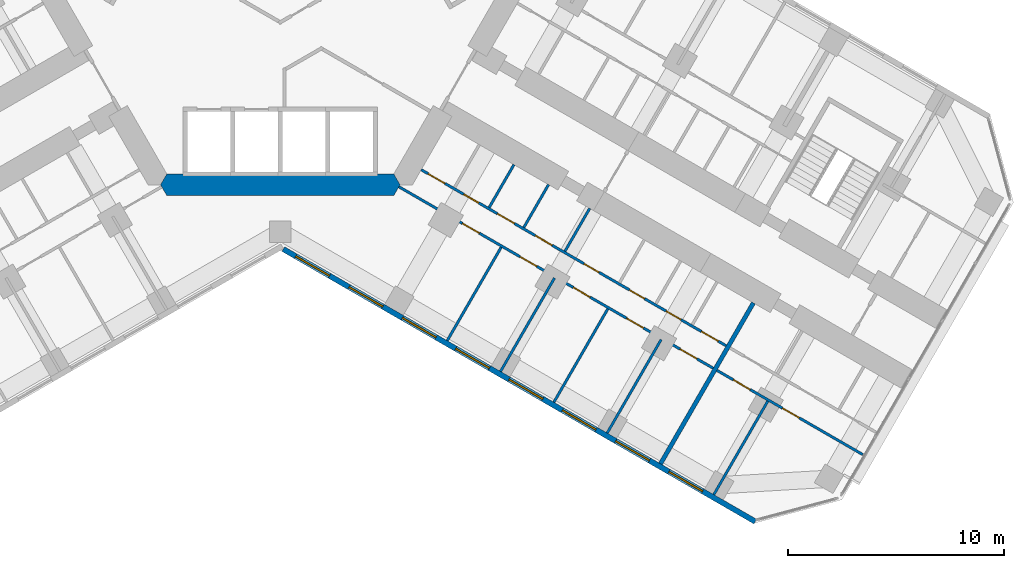
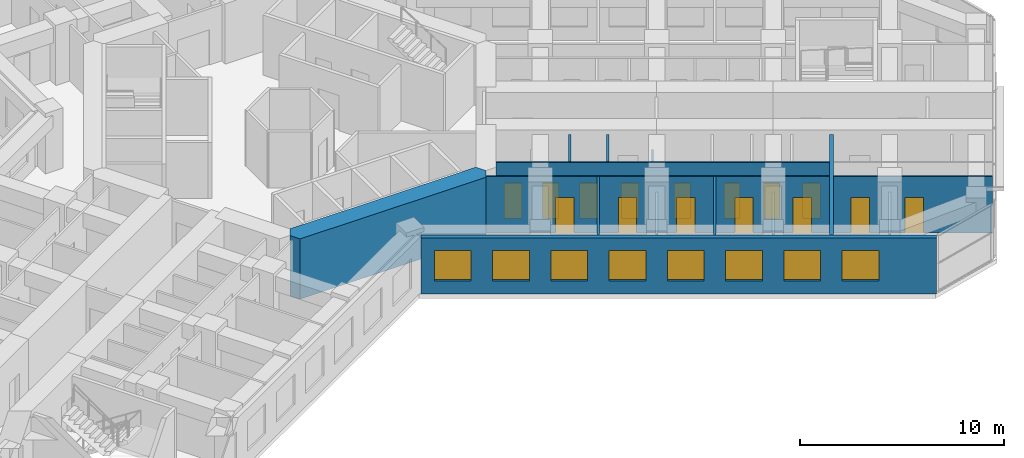
# One storey, part 14 of 21: 15 doors, 14 walls, 8 windows, 23 openings.
"""IFC4 building model written with IfcOpenShell, lengths in metres."""

from ifc_helpers import new_model, si_unit, direction, frame, frame_2d, origin, place, context, subcontext, project, spatial, polyline, rectangle, outline, extrude, material, layer, layer_set, type_object, element, fill, save


model = new_model("IFC4")

# Units and contexts
model_context = context("Model", 3, precision=1e-05, world=origin(), true_north=direction((0.0, 1.0)))
body_context = subcontext(model_context, "Body", "Model", "MODEL_VIEW")
ifc_project = project(units=[si_unit("LENGTHUNIT", "METRE"), si_unit("AREAUNIT", "SQUARE_METRE"), si_unit("VOLUMEUNIT", "CUBIC_METRE"), si_unit("PLANEANGLEUNIT", "RADIAN"), si_unit("MASSUNIT", "GRAM", prefix="KILO")], contexts=[model_context])

# Site, building, storey
site_placement = place(None, origin())
site = spatial("IfcSite", under=ifc_project, at=site_placement, CompositionType="ELEMENT")
building_placement = place(site_placement, origin())
building = spatial("IfcBuilding", under=site, at=building_placement, Name="Kosmar Iwan School Tower", CompositionType="ELEMENT")
storey_placement = place(building_placement, frame((0.0, 0.0, 57.39990234375)))
storey = spatial("IfcBuildingStorey", under=building, at=storey_placement, Name="L13", CompositionType="ELEMENT", Elevation=57.39990234375)

# Wall
ifc_material_1 = material(Name="Concrete C50/60", Category="concrete")
ifc_layer_1 = layer(ifc_material_1, 1.0)
ifc_layer_set_1 = layer_set([ifc_layer_1], Name="Core wall 1000")
wall_type_1 = type_object("IfcWallType", Name="Core wall 1000", PredefinedType="SHEAR", material=ifc_layer_set_1)
wall_1_placement = place(storey_placement, origin())
element("IfcWall", 1, at=wall_1_placement, inside=storey, type_object=wall_type_1, Name="Core wall F270", PredefinedType="SHEAR", context=body_context, shape_type="SweptSolid", body=[
    extrude(outline(polyline([(-5.25390625, -10.10009765625), (5.25390625, -10.10009765625), (5.54248046875, -9.60009765625), (5.25390625, -9.10009765625), (-5.25390625, -9.10009765625), (-5.54248046875, -9.60009765625), (-5.25390625, -10.10009765625)])), origin(), (0.0, 0.0, 1.0), 3.60009765625),
])

# Wall, openings, doors
ifc_material_2 = material(Name="Gypsum board on steel studs", Category="steel")
ifc_layer_2 = layer(ifc_material_2, 0.1201171875)
ifc_layer_set_2 = layer_set([ifc_layer_2], Name="Dwelling partition 120")
wall_type_2 = type_object("IfcWallType", Name="Dwelling partition 120", PredefinedType="PARTITIONING", material=ifc_layer_set_2)
wall_2_placement = place(storey_placement, frame((6.521728515625, -8.90380859375, 0.0), z_axis=(0.0, 0.0, 1.0), x_axis=(0.866031694176, -0.499989104564, 0.0)))
wall_2 = element("IfcWall", 2, at=wall_2_placement, inside=storey, type_object=wall_type_2, Name="Partition L13-CR1-W1", PredefinedType="PARTITIONING", context=body_context, shape_type="SweptSolid", body=[
    extrude(rectangle(XDim=16.300048828125, YDim=0.1201171875, at=frame_2d((8.14990234375, 0.0))), origin(), (0.0, 0.0, 1.0), 3.35009765625),
])
opening_1_placement = place(wall_2_placement, frame((0.375, 0.0, 0.0)))
opening_1 = element("IfcOpeningElement", 3, at=opening_1_placement, cuts=wall_2, Name="Opening D2", PredefinedType="OPENING", context=body_context, shape_type="SweptSolid", body=[
    extrude(rectangle(XDim=0.89990234375, YDim=2.10009765625, at=frame_2d((0.449951171875, 1.050048828125))), frame((0.0, 0.072021484375, 0.0), z_axis=(0.0, -1.0, 0.0), x_axis=(1.0, 0.0, 0.0)), (0.0, 0.0, 1.0), 0.14404296875),
])
opening_2_placement = place(wall_2_placement, frame((2.27490234375, 0.0, 0.0)))
opening_2 = element("IfcOpeningElement", 4, at=opening_2_placement, cuts=wall_2, Name="Opening D3", PredefinedType="OPENING", context=body_context, shape_type="SweptSolid", body=[
    extrude(rectangle(XDim=0.800048828125, YDim=2.10009765625, at=frame_2d((0.39990234375, 1.050048828125))), frame((0.0, 0.072021484375, 0.0), z_axis=(0.0, -1.0, 0.0), x_axis=(1.0, 0.0, 0.0)), (0.0, 0.0, 1.0), 0.14404296875),
])
opening_3_placement = place(wall_2_placement, frame((4.074951171875, 0.0, 0.0)))
opening_3 = element("IfcOpeningElement", 5, at=opening_3_placement, cuts=wall_2, Name="Opening D2", PredefinedType="OPENING", context=body_context, shape_type="SweptSolid", body=[
    extrude(rectangle(XDim=0.89990234375, YDim=2.10009765625, at=frame_2d((0.449951171875, 1.050048828125))), frame((0.0, 0.072021484375, 0.0), z_axis=(0.0, -1.0, 0.0), x_axis=(1.0, 0.0, 0.0)), (0.0, 0.0, 1.0), 0.14404296875),
])
opening_4_placement = place(wall_2_placement, frame((6.10009765625, 0.0, 0.0)))
opening_4 = element("IfcOpeningElement", 6, at=opening_4_placement, cuts=wall_2, Name="Opening D2", PredefinedType="OPENING", context=body_context, shape_type="SweptSolid", body=[
    extrude(rectangle(XDim=0.89990234375, YDim=2.10009765625, at=frame_2d((0.449951171875, 1.050048828125))), frame((0.0, 0.072021484375, 0.0), z_axis=(0.0, -1.0, 0.0), x_axis=(1.0, 0.0, 0.0)), (0.0, 0.0, 1.0), 0.14404296875),
])
opening_5_placement = place(wall_2_placement, frame((8.708251953125, 0.0, 0.0)))
opening_5 = element("IfcOpeningElement", 7, at=opening_5_placement, cuts=wall_2, Name="Opening D3", PredefinedType="OPENING", context=body_context, shape_type="SweptSolid", body=[
    extrude(rectangle(XDim=0.800048828125, YDim=2.10009765625, at=frame_2d((0.39990234375, 1.050048828125))), frame((0.0, 0.072021484375, 0.0), z_axis=(0.0, -1.0, 0.0), x_axis=(1.0, 0.0, 0.0)), (0.0, 0.0, 1.0), 0.14404296875),
])
opening_6_placement = place(wall_2_placement, frame((11.138916015625, 0.0, 0.0)))
opening_6 = element("IfcOpeningElement", 8, at=opening_6_placement, cuts=wall_2, Name="Opening D3", PredefinedType="OPENING", context=body_context, shape_type="SweptSolid", body=[
    extrude(rectangle(XDim=0.800048828125, YDim=2.10009765625, at=frame_2d((0.39990234375, 1.050048828125))), frame((0.0, 0.072021484375, 0.0), z_axis=(0.0, -1.0, 0.0), x_axis=(1.0, 0.0, 0.0)), (0.0, 0.0, 1.0), 0.14404296875),
])
opening_7_placement = place(wall_2_placement, frame((13.083251953125, 0.0, 0.0)))
opening_7 = element("IfcOpeningElement", 9, at=opening_7_placement, cuts=wall_2, Name="Opening D3", PredefinedType="OPENING", context=body_context, shape_type="SweptSolid", body=[
    extrude(rectangle(XDim=0.800048828125, YDim=2.10009765625, at=frame_2d((0.39990234375, 1.050048828125))), frame((0.0, 0.072021484375, 0.0), z_axis=(0.0, -1.0, 0.0), x_axis=(1.0, 0.0, 0.0)), (0.0, 0.0, 1.0), 0.14404296875),
])
opening_8_placement = place(wall_2_placement, frame((14.977783203125, 0.0, 0.0)))
opening_8 = element("IfcOpeningElement", 10, at=opening_8_placement, cuts=wall_2, Name="Opening D2", PredefinedType="OPENING", context=body_context, shape_type="SweptSolid", body=[
    extrude(rectangle(XDim=0.89990234375, YDim=2.10009765625, at=frame_2d((0.449951171875, 1.050048828125))), frame((0.0, 0.072021484375, 0.0), z_axis=(0.0, -1.0, 0.0), x_axis=(1.0, 0.0, 0.0)), (0.0, 0.0, 1.0), 0.14404296875),
])
ifc_material_3 = material(Name="Timber door in timber frame", Category="wood")
door_type_1 = type_object("IfcDoorType", Name="Internal door 900x2100", OperationType="SINGLE_SWING_LEFT", PredefinedType="DOOR", material=ifc_material_3)
door_1_placement = place(opening_1_placement, origin())
door_1 = element("IfcDoor", 11, at=door_1_placement, inside=storey, type_object=door_type_1, Name="Dressing room door L13-CR1-S1", OperationType="SINGLE_SWING_LEFT", OverallHeight=2.10009765625, OverallWidth=0.89990234375, PredefinedType="DOOR", context=body_context, shape_type="SweptSolid", body=[
    extrude(rectangle(XDim=0.89990234375, YDim=2.10009765625, at=frame_2d((0.449951171875, 1.050048828125))), frame((0.0, 0.02490234375, 0.0), z_axis=(0.0, -1.0, 0.0), x_axis=(1.0, 0.0, 0.0)), (0.0, 0.0, 1.0), 0.050048828125),
])
fill(opening_1, door_1)
door_2_placement = place(opening_3_placement, origin())
door_2 = element("IfcDoor", 12, at=door_2_placement, inside=storey, type_object=door_type_1, Name="Pantry door L13-CR1-S3", OperationType="SINGLE_SWING_LEFT", OverallHeight=2.10009765625, OverallWidth=0.89990234375, PredefinedType="DOOR", context=body_context, shape_type="SweptSolid", body=[
    extrude(rectangle(XDim=0.89990234375, YDim=2.10009765625, at=frame_2d((0.449951171875, 1.050048828125))), frame((0.0, 0.02490234375, 0.0), z_axis=(0.0, -1.0, 0.0), x_axis=(1.0, 0.0, 0.0)), (0.0, 0.0, 1.0), 0.050048828125),
])
fill(opening_3, door_2)
door_3_placement = place(opening_4_placement, origin())
door_3 = element("IfcDoor", 13, at=door_3_placement, inside=storey, type_object=door_type_1, Name="Entrance hall door L13-CR1-S4", OperationType="SINGLE_SWING_RIGHT", OverallHeight=2.10009765625, OverallWidth=0.89990234375, PredefinedType="DOOR", context=body_context, shape_type="SweptSolid", body=[
    extrude(rectangle(XDim=0.89990234375, YDim=2.10009765625, at=frame_2d((0.449951171875, 1.050048828125))), frame((0.0, 0.02490234375, 0.0), z_axis=(0.0, -1.0, 0.0), x_axis=(1.0, 0.0, 0.0)), (0.0, 0.0, 1.0), 0.050048828125),
])
fill(opening_4, door_3)
door_4_placement = place(opening_8_placement, origin())
door_4 = element("IfcDoor", 14, at=door_4_placement, inside=storey, type_object=door_type_1, Name="Utility room door L13-CR1-S8", OperationType="SINGLE_SWING_RIGHT", OverallHeight=2.10009765625, OverallWidth=0.89990234375, PredefinedType="DOOR", context=body_context, shape_type="SweptSolid", body=[
    extrude(rectangle(XDim=0.89990234375, YDim=2.10009765625, at=frame_2d((0.449951171875, 1.050048828125))), frame((0.0, 0.02490234375, 0.0), z_axis=(0.0, -1.0, 0.0), x_axis=(1.0, 0.0, 0.0)), (0.0, 0.0, 1.0), 0.050048828125),
])
fill(opening_8, door_4)
ifc_material_4 = material(Name="Timber door in timber frame", Category="wood")
door_type_2 = type_object("IfcDoorType", Name="Sanitary room door 800x2100", OperationType="SINGLE_SWING_LEFT", PredefinedType="DOOR", material=ifc_material_4)
door_5_placement = place(opening_2_placement, origin())
door_5 = element("IfcDoor", 15, at=door_5_placement, inside=storey, type_object=door_type_2, Name="Store door L13-CR1-S2", OperationType="SINGLE_SWING_RIGHT", OverallHeight=2.10009765625, OverallWidth=0.800048828125, PredefinedType="DOOR", context=body_context, shape_type="SweptSolid", body=[
    extrude(rectangle(XDim=0.800048828125, YDim=2.10009765625, at=frame_2d((0.39990234375, 1.050048828125))), frame((0.0, 0.02490234375, 0.0), z_axis=(0.0, -1.0, 0.0), x_axis=(1.0, 0.0, 0.0)), (0.0, 0.0, 1.0), 0.050048828125),
])
fill(opening_2, door_5)
door_6_placement = place(opening_5_placement, origin())
door_6 = element("IfcDoor", 16, at=door_6_placement, inside=storey, type_object=door_type_2, Name="Bathroom door L13-CR1-S5", OperationType="SINGLE_SWING_LEFT", OverallHeight=2.10009765625, OverallWidth=0.800048828125, PredefinedType="DOOR", context=body_context, shape_type="SweptSolid", body=[
    extrude(rectangle(XDim=0.800048828125, YDim=2.10009765625, at=frame_2d((0.39990234375, 1.050048828125))), frame((0.0, 0.02490234375, 0.0), z_axis=(0.0, -1.0, 0.0), x_axis=(1.0, 0.0, 0.0)), (0.0, 0.0, 1.0), 0.050048828125),
])
fill(opening_5, door_6)
door_7_placement = place(opening_6_placement, origin())
door_7 = element("IfcDoor", 17, at=door_7_placement, inside=storey, type_object=door_type_2, Name="Shower room door L13-CR1-S6", OperationType="SINGLE_SWING_RIGHT", OverallHeight=2.10009765625, OverallWidth=0.800048828125, PredefinedType="DOOR", context=body_context, shape_type="SweptSolid", body=[
    extrude(rectangle(XDim=0.800048828125, YDim=2.10009765625, at=frame_2d((0.39990234375, 1.050048828125))), frame((0.0, 0.02490234375, 0.0), z_axis=(0.0, -1.0, 0.0), x_axis=(1.0, 0.0, 0.0)), (0.0, 0.0, 1.0), 0.050048828125),
])
fill(opening_6, door_7)
door_8_placement = place(opening_7_placement, origin())
door_8 = element("IfcDoor", 18, at=door_8_placement, inside=storey, type_object=door_type_2, Name="WC door L13-CR1-S7", OperationType="SINGLE_SWING_LEFT", OverallHeight=2.10009765625, OverallWidth=0.800048828125, PredefinedType="DOOR", context=body_context, shape_type="SweptSolid", body=[
    extrude(rectangle(XDim=0.800048828125, YDim=2.10009765625, at=frame_2d((0.39990234375, 1.050048828125))), frame((0.0, 0.02490234375, 0.0), z_axis=(0.0, -1.0, 0.0), x_axis=(1.0, 0.0, 0.0)), (0.0, 0.0, 1.0), 0.050048828125),
])
fill(opening_7, door_8)

wall_3_placement = place(storey_placement, frame((5.48876953125, -9.693115234375, 0.0), z_axis=(0.0, 0.0, 1.0), x_axis=(0.86602925447, -0.499993330357, 0.0)))
wall_3 = element("IfcWall", 19, at=wall_3_placement, inside=storey, type_object=wall_type_2, Name="Partition L13-CR1-W2", PredefinedType="PARTITIONING", context=body_context, shape_type="SweptSolid", body=[
    extrude(rectangle(XDim=16.800048828125, YDim=0.1201171875, at=frame_2d((8.39990234375, 0.0))), origin(), (0.0, 0.0, 1.0), 3.35009765625),
])
opening_9_placement = place(wall_3_placement, frame((3.39990234375, 0.0, 0.0)))
opening_9 = element("IfcOpeningElement", 20, at=opening_9_placement, cuts=wall_3, Name="Opening D2", PredefinedType="OPENING", context=body_context, shape_type="SweptSolid", body=[
    extrude(rectangle(XDim=0.89990234375, YDim=2.10009765625, at=frame_2d((0.449951171875, 1.050048828125))), frame((0.0, 0.072021484375, 0.0), z_axis=(0.0, -1.0, 0.0), x_axis=(1.0, 0.0, 0.0)), (0.0, 0.0, 1.0), 0.14404296875),
])
opening_10_placement = place(wall_3_placement, frame((6.47509765625, 0.0, 0.0)))
opening_10 = element("IfcOpeningElement", 21, at=opening_10_placement, cuts=wall_3, Name="Opening D2", PredefinedType="OPENING", context=body_context, shape_type="SweptSolid", body=[
    extrude(rectangle(XDim=0.89990234375, YDim=2.10009765625, at=frame_2d((0.449951171875, 1.050048828125))), frame((0.0, 0.072021484375, 0.0), z_axis=(0.0, -1.0, 0.0), x_axis=(1.0, 0.0, 0.0)), (0.0, 0.0, 1.0), 0.14404296875),
])
opening_11_placement = place(wall_3_placement, frame((9.324951171875, 0.0, 0.0)))
opening_11 = element("IfcOpeningElement", 22, at=opening_11_placement, cuts=wall_3, Name="Opening D2", PredefinedType="OPENING", context=body_context, shape_type="SweptSolid", body=[
    extrude(rectangle(XDim=0.89990234375, YDim=2.10009765625, at=frame_2d((0.449951171875, 1.050048828125))), frame((0.0, 0.072021484375, 0.0), z_axis=(0.0, -1.0, 0.0), x_axis=(1.0, 0.0, 0.0)), (0.0, 0.0, 1.0), 0.14404296875),
])
opening_12_placement = place(wall_3_placement, frame((12.175048828125, 0.0, 0.0)))
opening_12 = element("IfcOpeningElement", 23, at=opening_12_placement, cuts=wall_3, Name="Opening D2", PredefinedType="OPENING", context=body_context, shape_type="SweptSolid", body=[
    extrude(rectangle(XDim=0.89990234375, YDim=2.10009765625, at=frame_2d((0.449951171875, 1.050048828125))), frame((0.0, 0.072021484375, 0.0), z_axis=(0.0, -1.0, 0.0), x_axis=(1.0, 0.0, 0.0)), (0.0, 0.0, 1.0), 0.14404296875),
])
opening_13_placement = place(wall_3_placement, frame((15.02490234375, 0.0, 0.0)))
opening_13 = element("IfcOpeningElement", 24, at=opening_13_placement, cuts=wall_3, Name="Opening D2", PredefinedType="OPENING", context=body_context, shape_type="SweptSolid", body=[
    extrude(rectangle(XDim=0.89990234375, YDim=2.10009765625, at=frame_2d((0.449951171875, 1.050048828125))), frame((0.0, 0.072021484375, 0.0), z_axis=(0.0, -1.0, 0.0), x_axis=(1.0, 0.0, 0.0)), (0.0, 0.0, 1.0), 0.14404296875),
])
door_9_placement = place(opening_9_placement, origin())
door_9 = element("IfcDoor", 25, at=door_9_placement, inside=storey, type_object=door_type_1, Name="Living room and kitchen door L13-CR1-F1", OperationType="SINGLE_SWING_LEFT", OverallHeight=2.10009765625, OverallWidth=0.89990234375, PredefinedType="DOOR", context=body_context, shape_type="SweptSolid", body=[
    extrude(rectangle(XDim=0.89990234375, YDim=2.10009765625, at=frame_2d((0.449951171875, 1.050048828125))), frame((0.0, 0.02490234375, 0.0), z_axis=(0.0, -1.0, 0.0), x_axis=(1.0, 0.0, 0.0)), (0.0, 0.0, 1.0), 0.050048828125),
])
fill(opening_9, door_9)
door_10_placement = place(opening_10_placement, origin())
door_10 = element("IfcDoor", 26, at=door_10_placement, inside=storey, type_object=door_type_1, Name="Bedroom 1 door L13-CR1-F2", OperationType="SINGLE_SWING_LEFT", OverallHeight=2.10009765625, OverallWidth=0.89990234375, PredefinedType="DOOR", context=body_context, shape_type="SweptSolid", body=[
    extrude(rectangle(XDim=0.89990234375, YDim=2.10009765625, at=frame_2d((0.449951171875, 1.050048828125))), frame((0.0, 0.02490234375, 0.0), z_axis=(0.0, -1.0, 0.0), x_axis=(1.0, 0.0, 0.0)), (0.0, 0.0, 1.0), 0.050048828125),
])
fill(opening_10, door_10)
door_11_placement = place(opening_11_placement, origin())
door_11 = element("IfcDoor", 27, at=door_11_placement, inside=storey, type_object=door_type_1, Name="Bedroom 2 door L13-CR1-F3", OperationType="SINGLE_SWING_RIGHT", OverallHeight=2.10009765625, OverallWidth=0.89990234375, PredefinedType="DOOR", context=body_context, shape_type="SweptSolid", body=[
    extrude(rectangle(XDim=0.89990234375, YDim=2.10009765625, at=frame_2d((0.449951171875, 1.050048828125))), frame((0.0, 0.02490234375, 0.0), z_axis=(0.0, -1.0, 0.0), x_axis=(1.0, 0.0, 0.0)), (0.0, 0.0, 1.0), 0.050048828125),
])
fill(opening_11, door_11)
door_12_placement = place(opening_12_placement, origin())
door_12 = element("IfcDoor", 28, at=door_12_placement, inside=storey, type_object=door_type_1, Name="Bedroom 3 door L13-CR1-F4", OperationType="SINGLE_SWING_RIGHT", OverallHeight=2.10009765625, OverallWidth=0.89990234375, PredefinedType="DOOR", context=body_context, shape_type="SweptSolid", body=[
    extrude(rectangle(XDim=0.89990234375, YDim=2.10009765625, at=frame_2d((0.449951171875, 1.050048828125))), frame((0.0, 0.02490234375, 0.0), z_axis=(0.0, -1.0, 0.0), x_axis=(1.0, 0.0, 0.0)), (0.0, 0.0, 1.0), 0.050048828125),
])
fill(opening_12, door_12)
door_13_placement = place(opening_13_placement, origin())
door_13 = element("IfcDoor", 29, at=door_13_placement, inside=storey, type_object=door_type_1, Name="Bedroom 4 door L13-CR1-F5", OperationType="SINGLE_SWING_RIGHT", OverallHeight=2.10009765625, OverallWidth=0.89990234375, PredefinedType="DOOR", context=body_context, shape_type="SweptSolid", body=[
    extrude(rectangle(XDim=0.89990234375, YDim=2.10009765625, at=frame_2d((0.449951171875, 1.050048828125))), frame((0.0, 0.02490234375, 0.0), z_axis=(0.0, -1.0, 0.0), x_axis=(1.0, 0.0, 0.0)), (0.0, 0.0, 1.0), 0.050048828125),
])
fill(opening_13, door_13)

# Walls
wall_4_placement = place(storey_placement, frame((10.221923828125, -12.4951171875, 0.0), z_axis=(0.0, 0.0, 1.0), x_axis=(-0.499996339024, -0.86602751744, 0.0)))
element("IfcWall", 30, at=wall_4_placement, inside=storey, type_object=wall_type_2, Name="Partition L13-CR1-X1", PredefinedType="PARTITIONING", context=body_context, shape_type="SweptSolid", body=[
    extrude(rectangle(XDim=4.98974609375, YDim=0.1201171875, at=frame_2d((2.494873046875, 0.0))), origin(), (0.0, 0.0, 1.0), 3.35009765625),
])
wall_5_placement = place(storey_placement, frame((12.690185546875, -13.919921875, 0.0), z_axis=(0.0, 0.0, 1.0), x_axis=(-0.500011847778, -0.866018563358, 0.0)))
element("IfcWall", 31, at=wall_5_placement, inside=storey, type_object=wall_type_2, Name="Partition L13-CR1-X2", PredefinedType="PARTITIONING", context=body_context, shape_type="SweptSolid", body=[
    extrude(rectangle(XDim=4.990234375, YDim=0.1201171875, at=frame_2d((2.4951171875, 0.0))), origin(), (0.0, 0.0, 1.0), 2.4501953125),
])
wall_6_placement = place(storey_placement, frame((15.158447265625, -15.344970703125, 0.0), z_axis=(0.0, 0.0, 1.0), x_axis=(-0.500011847778, -0.866018563358, 0.0)))
element("IfcWall", 32, at=wall_6_placement, inside=storey, type_object=wall_type_2, Name="Partition L13-CR1-X3", PredefinedType="PARTITIONING", context=body_context, shape_type="SweptSolid", body=[
    extrude(rectangle(XDim=4.990234375, YDim=0.1201171875, at=frame_2d((2.4951171875, 0.0))), origin(), (0.0, 0.0, 1.0), 3.35009765625),
])
wall_7_placement = place(storey_placement, frame((17.62646484375, -16.77001953125, 0.0), z_axis=(0.0, 0.0, 1.0), x_axis=(-0.499975153383, -0.86603974851, 0.0)))
element("IfcWall", 33, at=wall_7_placement, inside=storey, type_object=wall_type_2, Name="Partition L13-CR1-X4", PredefinedType="PARTITIONING", context=body_context, shape_type="SweptSolid", body=[
    extrude(rectangle(XDim=4.989990234375, YDim=0.1201171875, at=frame_2d((2.4951171875, 0.0))), origin(), (0.0, 0.0, 1.0), 2.4501953125),
])
for number, where, z_axis, x_axis, name in (
    (34, (10.814453125, -8.668701171875, 0.0), (0.0, 0.0, 1.0), (-0.500014693593, -0.866016920268, 0.0), "Partition L13-CR1-Y2"),
    (35, (12.416748046875, -9.59375, 0.0), (0.0, 0.0, 1.0), (-0.500014693593, -0.866016920268, 0.0), "Partition L13-CR1-Y3"),
):
    element("IfcWall", number, at=place(storey_placement, frame(where, z_axis=z_axis, x_axis=x_axis)), inside=storey, type_object=wall_type_2, Name=name, PredefinedType="PARTITIONING", context=body_context, shape_type="SweptSolid", body=[
        extrude(rectangle(XDim=2.2900390625, YDim=0.1201171875, at=frame_2d((1.14501953125, 0.0))), origin(), (0.0, 0.0, 1.0), 3.35009765625),
    ])
wall_8_placement = place(storey_placement, frame((14.322021484375, -10.693603515625, 0.0), z_axis=(0.0, 0.0, 1.0), x_axis=(-0.500014693593, -0.866016920268, 0.0)))
element("IfcWall", 36, at=wall_8_placement, inside=storey, type_object=wall_type_2, Name="Partition L13-CR1-Y4", PredefinedType="PARTITIONING", context=body_context, shape_type="SweptSolid", body=[
    extrude(rectangle(XDim=2.2900390625, YDim=0.1201171875, at=frame_2d((1.14501953125, 0.0))), origin(), (0.0, 0.0, 1.0), 2.4501953125),
])

# Wall, openings, doors
wall_9_placement = place(storey_placement, frame((20.211181640625, -18.193115234375, 0.0), z_axis=(0.0, 0.0, 1.0), x_axis=(0.866029639064, -0.499992664208, 0.0)))
wall_9 = element("IfcWall", 37, at=wall_9_placement, inside=storey, type_object=wall_type_2, Name="Partition L13-CR2-W2", PredefinedType="PARTITIONING", context=body_context, shape_type="SweptSolid", body=[
    extrude(rectangle(XDim=7.794921875, YDim=0.1201171875, at=frame_2d((3.8974609375, 0.0))), origin(), (0.0, 0.0, 1.0), 3.35009765625),
])
opening_14_placement = place(wall_9_placement, frame((0.875, 0.0, 0.0)))
opening_14 = element("IfcOpeningElement", 38, at=opening_14_placement, cuts=wall_9, Name="Opening D2", PredefinedType="OPENING", context=body_context, shape_type="SweptSolid", body=[
    extrude(rectangle(XDim=0.89990234375, YDim=2.10009765625, at=frame_2d((0.449951171875, 1.050048828125))), frame((0.0, 0.072021484375, 0.0), z_axis=(0.0, -1.0, 0.0), x_axis=(1.0, 0.0, 0.0)), (0.0, 0.0, 1.0), 0.14404296875),
])
opening_15_placement = place(wall_9_placement, frame((3.5, 0.0, 0.0)))
opening_15 = element("IfcOpeningElement", 39, at=opening_15_placement, cuts=wall_9, Name="Opening D2", PredefinedType="OPENING", context=body_context, shape_type="SweptSolid", body=[
    extrude(rectangle(XDim=0.89990234375, YDim=2.10009765625, at=frame_2d((0.449951171875, 1.050048828125))), frame((0.0, 0.072021484375, 0.0), z_axis=(0.0, -1.0, 0.0), x_axis=(1.0, 0.0, 0.0)), (0.0, 0.0, 1.0), 0.14404296875),
])
door_14_placement = place(opening_14_placement, origin())
door_14 = element("IfcDoor", 40, at=door_14_placement, inside=storey, type_object=door_type_1, Name="Bedroom 1 door L13-CR2-F1", OperationType="SINGLE_SWING_LEFT", OverallHeight=2.10009765625, OverallWidth=0.89990234375, PredefinedType="DOOR", context=body_context, shape_type="SweptSolid", body=[
    extrude(rectangle(XDim=0.89990234375, YDim=2.10009765625, at=frame_2d((0.449951171875, 1.050048828125))), frame((0.0, 0.02490234375, 0.0), z_axis=(0.0, -1.0, 0.0), x_axis=(1.0, 0.0, 0.0)), (0.0, 0.0, 1.0), 0.050048828125),
])
fill(opening_14, door_14)
door_15_placement = place(opening_15_placement, origin())
door_15 = element("IfcDoor", 41, at=door_15_placement, inside=storey, type_object=door_type_1, Name="Living room and kitchen door L13-CR2-F2", OperationType="SINGLE_SWING_RIGHT", OverallHeight=2.10009765625, OverallWidth=0.89990234375, PredefinedType="DOOR", context=body_context, shape_type="SweptSolid", body=[
    extrude(rectangle(XDim=0.89990234375, YDim=2.10009765625, at=frame_2d((0.449951171875, 1.050048828125))), frame((0.0, 0.02490234375, 0.0), z_axis=(0.0, -1.0, 0.0), x_axis=(1.0, 0.0, 0.0)), (0.0, 0.0, 1.0), 0.050048828125),
])
fill(opening_15, door_15)

# Wall
wall_10_placement = place(storey_placement, frame((22.562744140625, -19.6201171875, 0.0), z_axis=(0.0, 0.0, 1.0), x_axis=(-0.499996339024, -0.86602751744, 0.0)))
element("IfcWall", 42, at=wall_10_placement, inside=storey, type_object=wall_type_2, Name="Partition L13-CR2-X1", PredefinedType="PARTITIONING", context=body_context, shape_type="SweptSolid", body=[
    extrude(rectangle(XDim=4.98974609375, YDim=0.1201171875, at=frame_2d((2.494873046875, 0.0))), origin(), (0.0, 0.0, 1.0), 2.4501953125),
])

# Wall, openings, windows
ifc_material_5 = material(Name="Black aluminium rainscreen on insulated framing", Category="aluminium")
ifc_layer_3 = layer(ifc_material_5, 0.25)
ifc_layer_set_3 = layer_set([ifc_layer_3], Name="External wall rainscreen 250")
wall_type_3 = type_object("IfcWallType", Name="External wall rainscreen 250", PredefinedType="SOLIDWALL", material=ifc_layer_set_3)
wall_11_placement = place(storey_placement, frame((0.137939453125, -12.5791015625, 0.0), z_axis=(0.0, 0.0, 1.0), x_axis=(0.866023775649, -0.500002820003, 0.0)))
wall_11 = element("IfcWall", 43, at=wall_11_placement, inside=storey, type_object=wall_type_3, Name="External wall CR L13", PredefinedType="SOLIDWALL", context=body_context, shape_type="SweptSolid", body=[
    extrude(rectangle(XDim=25.226318359375, YDim=0.25, at=frame_2d((12.61328125, 0.0))), origin(), (0.0, 0.0, 1.0), 3.35009765625),
])
opening_16_placement = place(wall_11_placement, frame((0.666015625, 0.0, 0.800048828125)))
opening_16 = element("IfcOpeningElement", 44, at=opening_16_placement, cuts=wall_11, Name="Opening W1", PredefinedType="OPENING", context=body_context, shape_type="SweptSolid", body=[
    extrude(rectangle(XDim=1.800048828125, YDim=1.800048828125, at=frame_2d((0.89990234375, 0.89990234375))), frame((0.0, 0.136962890625, 0.0), z_axis=(0.0, -1.0, 0.0), x_axis=(1.0, 0.0, 0.0)), (0.0, 0.0, 1.0), 0.27392578125),
])
opening_17_placement = place(wall_11_placement, frame((3.51611328125, 0.0, 0.800048828125)))
opening_17 = element("IfcOpeningElement", 45, at=opening_17_placement, cuts=wall_11, Name="Opening W1", PredefinedType="OPENING", context=body_context, shape_type="SweptSolid", body=[
    extrude(rectangle(XDim=1.800048828125, YDim=1.800048828125, at=frame_2d((0.89990234375, 0.89990234375))), frame((0.0, 0.136962890625, 0.0), z_axis=(0.0, -1.0, 0.0), x_axis=(1.0, 0.0, 0.0)), (0.0, 0.0, 1.0), 0.27392578125),
])
opening_18_placement = place(wall_11_placement, frame((6.365966796875, 0.0, 0.800048828125)))
opening_18 = element("IfcOpeningElement", 46, at=opening_18_placement, cuts=wall_11, Name="Opening W1", PredefinedType="OPENING", context=body_context, shape_type="SweptSolid", body=[
    extrude(rectangle(XDim=1.800048828125, YDim=1.800048828125, at=frame_2d((0.89990234375, 0.89990234375))), frame((0.0, 0.136962890625, 0.0), z_axis=(0.0, -1.0, 0.0), x_axis=(1.0, 0.0, 0.0)), (0.0, 0.0, 1.0), 0.27392578125),
])
opening_19_placement = place(wall_11_placement, frame((9.216064453125, 0.0, 0.800048828125)))
opening_19 = element("IfcOpeningElement", 47, at=opening_19_placement, cuts=wall_11, Name="Opening W1", PredefinedType="OPENING", context=body_context, shape_type="SweptSolid", body=[
    extrude(rectangle(XDim=1.800048828125, YDim=1.800048828125, at=frame_2d((0.89990234375, 0.89990234375))), frame((0.0, 0.136962890625, 0.0), z_axis=(0.0, -1.0, 0.0), x_axis=(1.0, 0.0, 0.0)), (0.0, 0.0, 1.0), 0.27392578125),
])
opening_20_placement = place(wall_11_placement, frame((12.06591796875, 0.0, 0.800048828125)))
opening_20 = element("IfcOpeningElement", 48, at=opening_20_placement, cuts=wall_11, Name="Opening W1", PredefinedType="OPENING", context=body_context, shape_type="SweptSolid", body=[
    extrude(rectangle(XDim=1.800048828125, YDim=1.800048828125, at=frame_2d((0.89990234375, 0.89990234375))), frame((0.0, 0.136962890625, 0.0), z_axis=(0.0, -1.0, 0.0), x_axis=(1.0, 0.0, 0.0)), (0.0, 0.0, 1.0), 0.27392578125),
])
opening_21_placement = place(wall_11_placement, frame((14.916015625, 0.0, 0.800048828125)))
opening_21 = element("IfcOpeningElement", 49, at=opening_21_placement, cuts=wall_11, Name="Opening W1", PredefinedType="OPENING", context=body_context, shape_type="SweptSolid", body=[
    extrude(rectangle(XDim=1.800048828125, YDim=1.800048828125, at=frame_2d((0.89990234375, 0.89990234375))), frame((0.0, 0.136962890625, 0.0), z_axis=(0.0, -1.0, 0.0), x_axis=(1.0, 0.0, 0.0)), (0.0, 0.0, 1.0), 0.27392578125),
])
opening_22_placement = place(wall_11_placement, frame((17.76611328125, 0.0, 0.800048828125)))
opening_22 = element("IfcOpeningElement", 50, at=opening_22_placement, cuts=wall_11, Name="Opening W1", PredefinedType="OPENING", context=body_context, shape_type="SweptSolid", body=[
    extrude(rectangle(XDim=1.800048828125, YDim=1.800048828125, at=frame_2d((0.89990234375, 0.89990234375))), frame((0.0, 0.136962890625, 0.0), z_axis=(0.0, -1.0, 0.0), x_axis=(1.0, 0.0, 0.0)), (0.0, 0.0, 1.0), 0.27392578125),
])
opening_23_placement = place(wall_11_placement, frame((20.615966796875, 0.0, 0.800048828125)))
opening_23 = element("IfcOpeningElement", 51, at=opening_23_placement, cuts=wall_11, Name="Opening W1", PredefinedType="OPENING", context=body_context, shape_type="SweptSolid", body=[
    extrude(rectangle(XDim=1.800048828125, YDim=1.800048828125, at=frame_2d((0.89990234375, 0.89990234375))), frame((0.0, 0.136962890625, 0.0), z_axis=(0.0, -1.0, 0.0), x_axis=(1.0, 0.0, 0.0)), (0.0, 0.0, 1.0), 0.27392578125),
])
ifc_material_6 = material(Name="Black aluminium frame with dark triple glazing", Category="aluminium")
window_type = type_object("IfcWindowType", Name="Window 1800x1800", PartitioningType="SINGLE_PANEL", PredefinedType="WINDOW", material=ifc_material_6)
window_1_placement = place(opening_16_placement, origin())
window_1 = element("IfcWindow", 52, at=window_1_placement, inside=storey, type_object=window_type, Name="Window CR L13 -1", OverallHeight=1.800048828125, OverallWidth=1.800048828125, PartitioningType="SINGLE_PANEL", PredefinedType="WINDOW", context=body_context, shape_type="SweptSolid", body=[
    extrude(rectangle(XDim=1.800048828125, YDim=1.800048828125, at=frame_2d((0.89990234375, 0.89990234375))), frame((0.0, 0.030029296875, 0.0), z_axis=(0.0, -1.0, 0.0), x_axis=(1.0, 0.0, 0.0)), (0.0, 0.0, 1.0), 0.06005859375),
])
fill(opening_16, window_1)
window_2_placement = place(opening_17_placement, origin())
window_2 = element("IfcWindow", 53, at=window_2_placement, inside=storey, type_object=window_type, Name="Window CR L13 0", OverallHeight=1.800048828125, OverallWidth=1.800048828125, PartitioningType="SINGLE_PANEL", PredefinedType="WINDOW", context=body_context, shape_type="SweptSolid", body=[
    extrude(rectangle(XDim=1.800048828125, YDim=1.800048828125, at=frame_2d((0.89990234375, 0.89990234375))), frame((0.0, 0.030029296875, 0.0), z_axis=(0.0, -1.0, 0.0), x_axis=(1.0, 0.0, 0.0)), (0.0, 0.0, 1.0), 0.06005859375),
])
fill(opening_17, window_2)
window_3_placement = place(opening_18_placement, origin())
window_3 = element("IfcWindow", 54, at=window_3_placement, inside=storey, type_object=window_type, Name="Window CR L13 1", OverallHeight=1.800048828125, OverallWidth=1.800048828125, PartitioningType="SINGLE_PANEL", PredefinedType="WINDOW", context=body_context, shape_type="SweptSolid", body=[
    extrude(rectangle(XDim=1.800048828125, YDim=1.800048828125, at=frame_2d((0.89990234375, 0.89990234375))), frame((0.0, 0.030029296875, 0.0), z_axis=(0.0, -1.0, 0.0), x_axis=(1.0, 0.0, 0.0)), (0.0, 0.0, 1.0), 0.06005859375),
])
fill(opening_18, window_3)
window_4_placement = place(opening_19_placement, origin())
window_4 = element("IfcWindow", 55, at=window_4_placement, inside=storey, type_object=window_type, Name="Window CR L13 2", OverallHeight=1.800048828125, OverallWidth=1.800048828125, PartitioningType="SINGLE_PANEL", PredefinedType="WINDOW", context=body_context, shape_type="SweptSolid", body=[
    extrude(rectangle(XDim=1.800048828125, YDim=1.800048828125, at=frame_2d((0.89990234375, 0.89990234375))), frame((0.0, 0.030029296875, 0.0), z_axis=(0.0, -1.0, 0.0), x_axis=(1.0, 0.0, 0.0)), (0.0, 0.0, 1.0), 0.06005859375),
])
fill(opening_19, window_4)
window_5_placement = place(opening_20_placement, origin())
window_5 = element("IfcWindow", 56, at=window_5_placement, inside=storey, type_object=window_type, Name="Window CR L13 3", OverallHeight=1.800048828125, OverallWidth=1.800048828125, PartitioningType="SINGLE_PANEL", PredefinedType="WINDOW", context=body_context, shape_type="SweptSolid", body=[
    extrude(rectangle(XDim=1.800048828125, YDim=1.800048828125, at=frame_2d((0.89990234375, 0.89990234375))), frame((0.0, 0.030029296875, 0.0), z_axis=(0.0, -1.0, 0.0), x_axis=(1.0, 0.0, 0.0)), (0.0, 0.0, 1.0), 0.06005859375),
])
fill(opening_20, window_5)
window_6_placement = place(opening_21_placement, origin())
window_6 = element("IfcWindow", 57, at=window_6_placement, inside=storey, type_object=window_type, Name="Window CR L13 4", OverallHeight=1.800048828125, OverallWidth=1.800048828125, PartitioningType="SINGLE_PANEL", PredefinedType="WINDOW", context=body_context, shape_type="SweptSolid", body=[
    extrude(rectangle(XDim=1.800048828125, YDim=1.800048828125, at=frame_2d((0.89990234375, 0.89990234375))), frame((0.0, 0.030029296875, 0.0), z_axis=(0.0, -1.0, 0.0), x_axis=(1.0, 0.0, 0.0)), (0.0, 0.0, 1.0), 0.06005859375),
])
fill(opening_21, window_6)
window_7_placement = place(opening_22_placement, origin())
window_7 = element("IfcWindow", 58, at=window_7_placement, inside=storey, type_object=window_type, Name="Window CR L13 5", OverallHeight=1.800048828125, OverallWidth=1.800048828125, PartitioningType="SINGLE_PANEL", PredefinedType="WINDOW", context=body_context, shape_type="SweptSolid", body=[
    extrude(rectangle(XDim=1.800048828125, YDim=1.800048828125, at=frame_2d((0.89990234375, 0.89990234375))), frame((0.0, 0.030029296875, 0.0), z_axis=(0.0, -1.0, 0.0), x_axis=(1.0, 0.0, 0.0)), (0.0, 0.0, 1.0), 0.06005859375),
])
fill(opening_22, window_7)
window_8_placement = place(opening_23_placement, origin())
window_8 = element("IfcWindow", 59, at=window_8_placement, inside=storey, type_object=window_type, Name="Window CR L13 6", OverallHeight=1.800048828125, OverallWidth=1.800048828125, PartitioningType="SINGLE_PANEL", PredefinedType="WINDOW", context=body_context, shape_type="SweptSolid", body=[
    extrude(rectangle(XDim=1.800048828125, YDim=1.800048828125, at=frame_2d((0.89990234375, 0.89990234375))), frame((0.0, 0.030029296875, 0.0), z_axis=(0.0, -1.0, 0.0), x_axis=(1.0, 0.0, 0.0)), (0.0, 0.0, 1.0), 0.06005859375),
])
fill(opening_23, window_8)

# Wall
ifc_material_7 = material(Name="Concrete block masonry", Category="masonry")
ifc_layer_4 = layer(ifc_material_7, 0.199951171875)
ifc_layer_set_4 = layer_set([ifc_layer_4], Name="Party wall 200")
wall_type_4 = type_object("IfcWallType", Name="Party wall 200", PredefinedType="PARTITIONING", material=ifc_layer_set_4)
wall_12_placement = place(storey_placement, frame((21.899658203125, -15.068603515625, 0.0), z_axis=(0.0, 0.0, 1.0), x_axis=(-0.499995216735, -0.866028165386, 0.0)))
element("IfcWall", 60, at=wall_12_placement, inside=storey, type_object=wall_type_4, Name="Partition L13-CR2-PW", PredefinedType="PARTITIONING", context=body_context, shape_type="SweptSolid", body=[
    extrude(rectangle(XDim=8.60009765625, YDim=0.199951171875, at=frame_2d((4.300048828125, 0.0))), origin(), (0.0, 0.0, 1.0), 3.35009765625),
])

save(model, "model.ifc")
